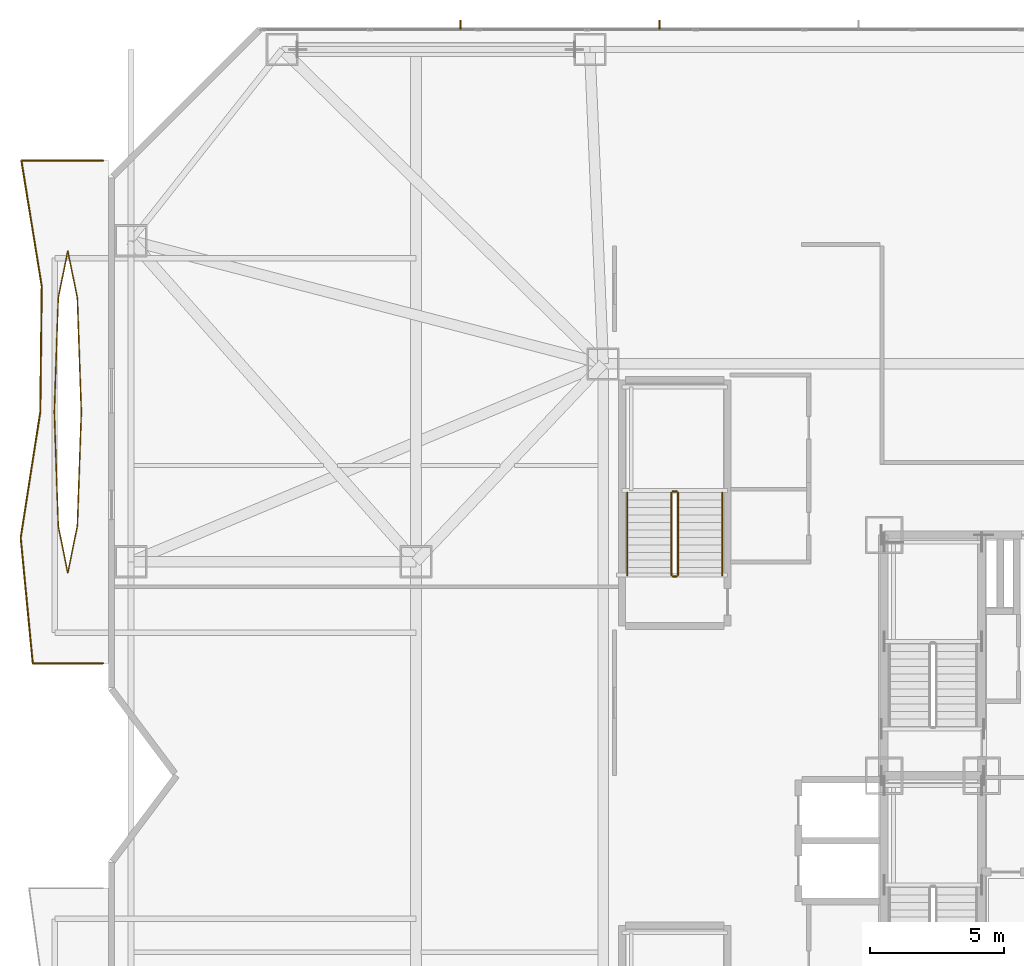
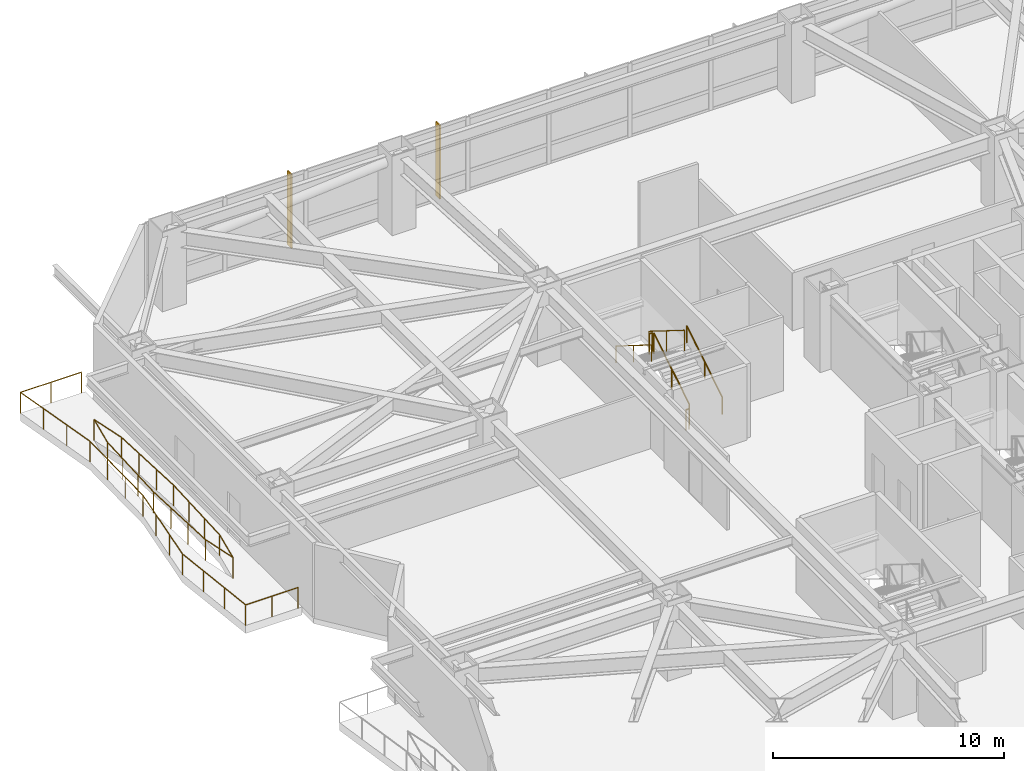
# One storey, part 22 of 24: 10 railings, 2 shading devices.
"""IFC4 building model written with IfcOpenShell, lengths in metres."""

import ifcopenshell
import ifcopenshell.guid

model = None  # the IFC model being written
_history = None  # IfcOwnerHistory: only IFC2X3 demands one
_inside = {}  # id of a spatial element -> (the spatial element, [elements in it])
_under = {}  # id of a project, library or spatial element -> (it, [spatial elements below it])
_declared = {}  # id of a project -> (the project, [libraries it declares])
_typed = {}  # id of a type object -> (the type object, [elements of that type])
_made_of = {}  # id of a material, layer set ... -> (it, [elements and type objects made of it])


def new_model(schema):
    """Start an empty IFC model of exactly this schema.

    Asked for "IFC4X3", IfcOpenShell would pick the latest addendum, in which some entities
    have other attributes; the version numbers below select the first issue.
    IFC2X3 requires an IfcOwnerHistory on every rooted entity: one is made here for all.
    """
    global model, _history
    if schema == "IFC4X3":
        model = ifcopenshell.file(schema_version=(4, 3, 0, 0))
    else:
        model = ifcopenshell.file(schema=schema)
    _inside.clear()
    _under.clear()
    _declared.clear()
    _typed.clear()
    _made_of.clear()
    _history = None
    if model.schema == "IFC2X3":
        org = make("IfcOrganization", Name="unknown")
        user = make(
            "IfcPersonAndOrganization",
            ThePerson=make("IfcPerson", FamilyName="unknown"),
            TheOrganization=org,
        )
        app = make(
            "IfcApplication",
            ApplicationDeveloper=org,
            Version="unknown",
            ApplicationFullName="unknown",
            ApplicationIdentifier="unknown",
        )
        _history = make(
            "IfcOwnerHistory",
            OwningUser=user,
            OwningApplication=app,
            ChangeAction="ADDED",
            CreationDate=0,
        )
    return model


def make(cls, **values):
    """One entity of the class cls with the attributes given. An attribute that is None is left unset."""
    return model.create_entity(
        cls, **{name: value for name, value in values.items() if value is not None}
    )


def rooted(cls, **values):
    """An entity with a GlobalId (a new one), such as an element, a storey or a relation."""
    return make(cls, GlobalId=ifcopenshell.guid.new(), OwnerHistory=_history, **values)


def si_unit(unit_type, name, prefix=None):
    """IfcSIUnit, for example si_unit("LENGTHUNIT", "METRE", prefix="MILLI")."""
    return make("IfcSIUnit", UnitType=unit_type, Prefix=prefix, Name=name)


def assignment(units):
    """IfcUnitAssignment: the units of a project."""
    return None if units is None else make("IfcUnitAssignment", Units=units)


def point(xyz):
    """IfcCartesianPoint."""
    return None if xyz is None else make("IfcCartesianPoint", Coordinates=xyz)


def direction(xyz):
    """IfcDirection."""
    return None if xyz is None else make("IfcDirection", DirectionRatios=xyz)


def frame(location, z_axis=None, x_axis=None):
    """IfcAxis2Placement3D, a coordinate frame: its origin and axes. An axis left out is left unset."""
    return make(
        "IfcAxis2Placement3D",
        Location=point(location),
        Axis=direction(z_axis),
        RefDirection=direction(x_axis),
    )


def frame_2d(location, x_axis=None):
    """IfcAxis2Placement2D, a coordinate frame in the plane: its origin and x axis."""
    return make(
        "IfcAxis2Placement2D", Location=point(location), RefDirection=direction(x_axis)
    )


def origin():
    """The frame at (0, 0, 0) with its axes left unset."""
    return frame((0.0, 0.0, 0.0))


def origin_2d():
    """The frame at (0, 0) in the plane with its x axis left unset."""
    return frame_2d((0.0, 0.0))


def place(relative_to, where):
    """IfcLocalPlacement: puts the frame where relative to a parent placement (None: the world)."""
    return make(
        "IfcLocalPlacement", PlacementRelTo=relative_to, RelativePlacement=where
    )


def context(
    kind, dimensions, precision=None, world=None, true_north=None, identifier=None
):
    """IfcGeometricRepresentationContext, for example the 3D "Model" context."""
    return make(
        "IfcGeometricRepresentationContext",
        ContextIdentifier=identifier,
        ContextType=kind,
        CoordinateSpaceDimension=dimensions,
        Precision=precision,
        WorldCoordinateSystem=world,
        TrueNorth=true_north,
    )


def subcontext(parent, identifier, kind, view, scale=None):
    """IfcGeometricRepresentationSubContext, for example "Body" below "Model"."""
    return make(
        "IfcGeometricRepresentationSubContext",
        ContextIdentifier=identifier,
        ContextType=kind,
        ParentContext=parent,
        TargetScale=scale,
        TargetView=view,
    )


def project(units=None, contexts=None):
    """IfcProject with its units and contexts."""
    return rooted(
        "IfcProject",
        Name="project",
        RepresentationContexts=contexts,
        UnitsInContext=assignment(units),
    )


def spatial(cls, under=None, at=None, **own):
    """A site, building, storey or space (cls), placed at a placement, below another one or the project."""
    s = rooted(cls, ObjectPlacement=at, **own)
    if under is not None:
        _under.setdefault(under.id(), (under, []))[1].append(s)
    return s


def profile(cls, at=None, kind="AREA", **sizes):
    """A parametric profile (cls). Its sizes go by their IFC names, for example OverallWidth=200.0."""
    return make(cls, ProfileType=kind, Position=at, **sizes)


def rectangle(**sizes):
    """IfcRectangleProfileDef."""
    return profile("IfcRectangleProfileDef", **sizes)


def circle(**sizes):
    """IfcCircleProfileDef."""
    return profile("IfcCircleProfileDef", **sizes)


def extrude(swept, where, along, depth):
    """IfcExtrudedAreaSolid: the profile swept, set in the frame where, extruded along a direction by depth."""
    return make(
        "IfcExtrudedAreaSolid",
        SweptArea=swept,
        Position=where,
        ExtrudedDirection=direction(along),
        Depth=depth,
    )


def shape(context_of_items, identifier, shape_type, items):
    """IfcShapeRepresentation: the items that make up one representation, for example the "Body"."""
    return make(
        "IfcShapeRepresentation",
        ContextOfItems=context_of_items,
        RepresentationIdentifier=identifier,
        RepresentationType=shape_type,
        Items=items,
    )


def material(Name=None, Category=None):
    """IfcMaterial."""
    return make("IfcMaterial", Name=Name, Category=Category)


def made_of(thing, what):
    """Note that an element or type object is made of a material, layer set ...; save() writes the relation."""
    if what is not None:
        _made_of.setdefault(what.id(), (what, []))[1].append(thing)
    return thing


def type_object(cls, material=None, **own):
    """A type object (cls), such as IfcWallType, which elements share."""
    return made_of(rooted(cls, **own), material)


def element(
    cls,
    number,
    at=None,
    inside=None,
    cuts=None,
    type_object=None,
    material=None,
    context=None,
    identifier="Body",
    shape_type=None,
    held_by="IfcProductDefinitionShape",
    body=None,
    shapes=None,
    **own,
):
    """One element of the class cls, such as IfcWall. Its Tag is "e" and its number.

    at: its placement. inside: the storey or other place that contains it. cuts: it is an
    opening in that element (IfcRelVoidsElement). A single representation is given by context,
    identifier, shape_type and body (its items); several are given by shapes. held_by: the class
    of the entity that holds the representations. save() writes the other relations.
    """
    e = rooted(cls, Tag="e%d" % number, ObjectPlacement=at, **own)
    if body is not None:
        shapes = [shape(context, identifier, shape_type, body)]
    if shapes is not None:
        e.Representation = make(held_by, Representations=shapes)
    if inside is not None:
        _inside.setdefault(inside.id(), (inside, []))[1].append(e)
    if cuts is not None:
        rooted(
            "IfcRelVoidsElement", RelatingBuildingElement=cuts, RelatedOpeningElement=e
        )
    if type_object is not None:
        _typed.setdefault(type_object.id(), (type_object, []))[1].append(e)
    return made_of(e, material)


def aggregate(whole, parts):
    """IfcRelAggregates: a whole, such as a stair, and the parts it consists of."""
    return rooted("IfcRelAggregates", RelatingObject=whole, RelatedObjects=parts)


def save(model, path):
    """Write the relations noted so far, then the file.

    IfcRelAggregates (storeys below a building ...), IfcRelContainedInSpatialStructure (elements
    in a storey), IfcRelDefinesByType, IfcRelAssociatesMaterial and IfcRelDeclares: one each for
    every whole, place, type object, material and project.
    """
    for whole, parts in _under.values():
        aggregate(whole, parts)
    for where, things in _inside.values():
        rooted(
            "IfcRelContainedInSpatialStructure",
            RelatedElements=things,
            RelatingStructure=where,
        )
    for kind, things in _typed.values():
        rooted("IfcRelDefinesByType", RelatedObjects=things, RelatingType=kind)
    for what, things in _made_of.values():
        rooted("IfcRelAssociatesMaterial", RelatedObjects=things, RelatingMaterial=what)
    for by, libraries in _declared.values():
        rooted("IfcRelDeclares", RelatingContext=by, RelatedDefinitions=libraries)
    model.write(path)


model = new_model("IFC4")

# Units and contexts
model_context = context("Model", 3, precision=1e-05, world=origin(), true_north=direction((0.0, 1.0)))
body_context = subcontext(model_context, "Body", "Model", "MODEL_VIEW")
ifc_project = project(units=[si_unit("LENGTHUNIT", "METRE"), si_unit("AREAUNIT", "SQUARE_METRE"), si_unit("VOLUMEUNIT", "CUBIC_METRE"), si_unit("PLANEANGLEUNIT", "RADIAN"), si_unit("MASSUNIT", "GRAM", prefix="KILO")], contexts=[model_context])

# Site, building, storey
site_placement = place(None, origin())
site = spatial("IfcSite", under=ifc_project, at=site_placement, CompositionType="ELEMENT")
building_placement = place(site_placement, origin())
building = spatial("IfcBuilding", under=site, at=building_placement, Name="Khamvora Tower", CompositionType="ELEMENT")
storey_placement = place(building_placement, frame((0.0, 0.0, 20.39990234375)))
storey = spatial("IfcBuildingStorey", under=building, at=storey_placement, Name="L04", CompositionType="ELEMENT", Elevation=20.39990234375)

# Railings
ifc_material_1 = material(Name="Stainless Steel 316 and Laminated Glass", Category="steel")
railing_type_1 = type_object("IfcRailingType", Name="RAL-GAL-1120", PredefinedType="GUARDRAIL", material=ifc_material_1)
railing_1_placement = place(storey_placement, frame((-0.199951171875, 32.199951171875, 0.0)))
element("IfcRailing", 1, at=railing_1_placement, inside=storey, type_object=railing_type_1, Name="L04 lens gallery south perimeter guardrail WL2", PredefinedType="GUARDRAIL", context=body_context, shape_type="SweptSolid", body=[
    extrude(circle(Radius=0.02392578125, at=origin_2d()), frame((0.0, 0.0, 1.09619140625), z_axis=(-1.0, 0.0, 0.0), x_axis=(0.0, -1.0, 0.0)), (0.0, 0.0, 1.0), 2.626953125),
    extrude(circle(Radius=0.02392578125, at=origin_2d()), frame((-2.626953125, 0.0, 1.09619140625), z_axis=(-0.095555747746, 0.995424080014, 0.0), x_axis=(-0.995424080014, -0.095555747746, 0.0)), (0.0, 0.0, 1.0), 4.721435546875),
    extrude(circle(Radius=0.02392578125, at=origin_2d()), frame((-3.078125, 4.699951171875, 1.09619140625), z_axis=(0.153919696536, 0.988083360359, 0.0), x_axis=(-0.988083360359, 0.153919696536, 0.0)), (0.0, 0.0, 1.0), 4.7568359375),
    extrude(circle(Radius=0.02099609375, at=origin_2d()), origin(), (0.0, 0.0, 1.0), 1.072021484375),
    extrude(circle(Radius=0.02099609375, at=origin_2d()), frame((-1.3134765625, 0.0, 0.0)), (0.0, 0.0, 1.0), 1.072021484375),
    extrude(circle(Radius=0.02099609375, at=origin_2d()), frame((-2.626953125, 0.0, 0.0)), (0.0, 0.0, 1.0), 1.072021484375),
    extrude(circle(Radius=0.02099609375, at=origin_2d()), frame((-2.77734375, 1.566650390625, 0.0)), (0.0, 0.0, 1.0), 1.072021484375),
    extrude(circle(Radius=0.02099609375, at=origin_2d()), frame((-2.927734375, 3.13330078125, 0.0)), (0.0, 0.0, 1.0), 1.072021484375),
    extrude(circle(Radius=0.02099609375, at=origin_2d()), frame((-3.078125, 4.699951171875, 0.0)), (0.0, 0.0, 1.0), 1.072021484375),
    extrude(circle(Radius=0.02099609375, at=origin_2d()), frame((-2.833984375, 6.2666015625, 0.0)), (0.0, 0.0, 1.0), 1.072021484375),
    extrude(circle(Radius=0.02099609375, at=origin_2d()), frame((-2.590087890625, 7.83349609375, 0.0)), (0.0, 0.0, 1.0), 1.072021484375),
    extrude(circle(Radius=0.02099609375, at=origin_2d()), frame((-2.345947265625, 9.400146484375, 0.0)), (0.0, 0.0, 1.0), 1.072021484375),
])
railing_2_placement = place(storey_placement, frame((-2.5458984375, 41.60009765625, 0.0)))
element("IfcRailing", 2, at=railing_2_placement, inside=storey, type_object=railing_type_1, Name="L04 lens gallery north perimeter guardrail WL2", PredefinedType="GUARDRAIL", context=body_context, shape_type="SweptSolid", body=[
    extrude(circle(Radius=0.02392578125, at=origin_2d()), frame((0.0, 0.0, 1.09619140625), z_axis=(0.011479166734, 0.999934112195, 0.0), x_axis=(-0.999934112195, 0.011479166734, 0.0)), (0.0, 0.0, 1.0), 4.7001953125),
    extrude(circle(Radius=0.02392578125, at=origin_2d()), frame((0.053955078125, 4.699951171875, 1.09619140625), z_axis=(-0.159832138412, 0.987144208072, 0.0), x_axis=(-0.987144208072, -0.159832138412, 0.0)), (0.0, 0.0, 1.0), 4.76123046875),
    extrude(circle(Radius=0.02392578125, at=origin_2d()), frame((-0.70703125, 9.39990234375, 1.09619140625), z_axis=(1.0, 0.0, 0.0), x_axis=(0.0, 1.0, 0.0)), (0.0, 0.0, 1.0), 3.052978515625),
    extrude(circle(Radius=0.02099609375, at=origin_2d()), origin(), (0.0, 0.0, 1.0), 1.072021484375),
    extrude(circle(Radius=0.02099609375, at=origin_2d()), frame((0.01806640625, 1.566650390625, 0.0)), (0.0, 0.0, 1.0), 1.072021484375),
    extrude(circle(Radius=0.02099609375, at=origin_2d()), frame((0.035888671875, 3.13330078125, 0.0)), (0.0, 0.0, 1.0), 1.072021484375),
    extrude(circle(Radius=0.02099609375, at=origin_2d()), frame((0.053955078125, 4.699951171875, 0.0)), (0.0, 0.0, 1.0), 1.072021484375),
    extrude(circle(Radius=0.02099609375, at=origin_2d()), frame((-0.19970703125, 6.2666015625, 0.0)), (0.0, 0.0, 1.0), 1.072021484375),
    extrude(circle(Radius=0.02099609375, at=origin_2d()), frame((-0.453369140625, 7.833251953125, 0.0)), (0.0, 0.0, 1.0), 1.072021484375),
    extrude(circle(Radius=0.02099609375, at=origin_2d()), frame((-0.70703125, 9.39990234375, 0.0)), (0.0, 0.0, 1.0), 1.072021484375),
    extrude(circle(Radius=0.02099609375, at=origin_2d()), frame((0.8193359375, 9.39990234375, 0.0)), (0.0, 0.0, 1.0), 1.072021484375),
    extrude(circle(Radius=0.02099609375, at=origin_2d()), frame((2.345947265625, 9.39990234375, 0.0)), (0.0, 0.0, 1.0), 1.072021484375),
])
railing_3_placement = place(storey_placement, frame((-1.010986328125, 41.60009765625, 0.0)))
element("IfcRailing", 3, at=railing_3_placement, inside=storey, type_object=railing_type_1, Name="L04 lens gallery void guardrail WL2A", PredefinedType="GUARDRAIL", context=body_context, shape_type="SweptSolid", body=[
    extrude(circle(Radius=0.02392578125, at=origin_2d()), frame((0.0, 0.0, 1.09619140625), z_axis=(-0.034758598303, 0.999395737355, 0.0), x_axis=(-0.999395737355, -0.034758598303, 0.0)), (0.0, 0.0, 1.0), 4.256591796875),
    extrude(circle(Radius=0.02392578125, at=origin_2d()), frame((-0.14794921875, 4.25390625, 1.09619140625), z_axis=(-0.198022438185, 0.980197487232, 0.0), x_axis=(-0.980197487232, -0.198022438185, 0.0)), (0.0, 0.0, 1.0), 1.797607421875),
    extrude(circle(Radius=0.02392578125, at=origin_2d()), frame((-0.50390625, 6.015869140625, 1.09619140625), z_axis=(-0.198152924969, -0.98017111686, 0.0), x_axis=(0.98017111686, -0.198152924969, 0.0)), (0.0, 0.0, 1.0), 1.797607421875),
    extrude(circle(Radius=0.02392578125, at=origin_2d()), frame((-0.860107421875, 4.25390625, 1.09619140625), z_axis=(-0.034758598303, -0.999395737355, 0.0), x_axis=(0.999395737355, -0.034758598303, 0.0)), (0.0, 0.0, 1.0), 4.256591796875),
    extrude(circle(Radius=0.02099609375, at=origin_2d()), origin(), (0.0, 0.0, 1.0), 1.072021484375),
    extrude(circle(Radius=0.02099609375, at=origin_2d()), frame((-0.04931640625, 1.41796875, 0.0)), (0.0, 0.0, 1.0), 1.072021484375),
    extrude(circle(Radius=0.02099609375, at=origin_2d()), frame((-0.0986328125, 2.8359375, 0.0)), (0.0, 0.0, 1.0), 1.072021484375),
    extrude(circle(Radius=0.02099609375, at=origin_2d()), frame((-0.14794921875, 4.25390625, 0.0)), (0.0, 0.0, 1.0), 1.072021484375),
    extrude(circle(Radius=0.02099609375, at=origin_2d()), frame((-0.50390625, 6.015869140625, 0.0)), (0.0, 0.0, 1.0), 1.072021484375),
    extrude(circle(Radius=0.02099609375, at=origin_2d()), frame((-0.860107421875, 4.25390625, 0.0)), (0.0, 0.0, 1.0), 1.072021484375),
    extrude(circle(Radius=0.02099609375, at=origin_2d()), frame((-0.909423828125, 2.8359375, 0.0)), (0.0, 0.0, 1.0), 1.072021484375),
    extrude(circle(Radius=0.02099609375, at=origin_2d()), frame((-0.958740234375, 1.41796875, 0.0)), (0.0, 0.0, 1.0), 1.072021484375),
    extrude(circle(Radius=0.02099609375, at=origin_2d()), frame((-1.008056640625, 0.0, 0.0)), (0.0, 0.0, 1.0), 1.072021484375),
])
railing_4_placement = place(storey_placement, frame((-2.01904296875, 41.60009765625, 0.0)))
element("IfcRailing", 4, at=railing_4_placement, inside=storey, type_object=railing_type_1, Name="L04 lens gallery void guardrail WL2B", PredefinedType="GUARDRAIL", context=body_context, shape_type="SweptSolid", body=[
    extrude(circle(Radius=0.02392578125, at=origin_2d()), frame((0.0, 0.0, 1.09619140625), z_axis=(0.034756605959, -0.999395806646, 0.0), x_axis=(0.999395806646, 0.034756605959, 0.0)), (0.0, 0.0, 1.0), 4.2568359375),
    extrude(circle(Radius=0.02392578125, at=origin_2d()), frame((0.14794921875, -4.254150390625, 1.09619140625), z_axis=(0.198152924969, -0.98017111686, 0.0), x_axis=(0.98017111686, 0.198152924969, 0.0)), (0.0, 0.0, 1.0), 1.797607421875),
    extrude(circle(Radius=0.02392578125, at=origin_2d()), frame((0.504150390625, -6.01611328125, 1.09619140625), z_axis=(0.198022438185, 0.980197487232, 0.0), x_axis=(-0.980197487232, 0.198022438185, 0.0)), (0.0, 0.0, 1.0), 1.797607421875),
    extrude(circle(Radius=0.02392578125, at=origin_2d()), frame((0.860107421875, -4.254150390625, 1.09619140625), z_axis=(0.034756605959, 0.999395806646, 0.0), x_axis=(-0.999395806646, 0.034756605959, 0.0)), (0.0, 0.0, 1.0), 4.2568359375),
    extrude(circle(Radius=0.02099609375, at=origin_2d()), origin(), (0.0, 0.0, 1.0), 1.072021484375),
    extrude(circle(Radius=0.02099609375, at=origin_2d()), frame((0.04931640625, -1.41796875, 0.0)), (0.0, 0.0, 1.0), 1.072021484375),
    extrude(circle(Radius=0.02099609375, at=origin_2d()), frame((0.0986328125, -2.836181640625, 0.0)), (0.0, 0.0, 1.0), 1.072021484375),
    extrude(circle(Radius=0.02099609375, at=origin_2d()), frame((0.14794921875, -4.254150390625, 0.0)), (0.0, 0.0, 1.0), 1.072021484375),
    extrude(circle(Radius=0.02099609375, at=origin_2d()), frame((0.504150390625, -6.01611328125, 0.0)), (0.0, 0.0, 1.0), 1.072021484375),
    extrude(circle(Radius=0.02099609375, at=origin_2d()), frame((0.860107421875, -4.254150390625, 0.0)), (0.0, 0.0, 1.0), 1.072021484375),
    extrude(circle(Radius=0.02099609375, at=origin_2d()), frame((0.909423828125, -2.836181640625, 0.0)), (0.0, 0.0, 1.0), 1.072021484375),
    extrude(circle(Radius=0.02099609375, at=origin_2d()), frame((0.958740234375, -1.41796875, 0.0)), (0.0, 0.0, 1.0), 1.072021484375),
    extrude(circle(Radius=0.02099609375, at=origin_2d()), frame((1.008056640625, 0.0, 0.0)), (0.0, 0.0, 1.0), 1.072021484375),
])
ifc_material_2 = material(Name="Brushed Stainless Steel 316", Category="steel")
railing_type_2 = type_object("IfcRailingType", Name="RAL-HDR-920", PredefinedType="HANDRAIL", material=ifc_material_2)
railing_5_placement = place(storey_placement, frame((22.949951171875, 35.5, 0.175048828125)))
element("IfcRailing", 5, at=railing_5_placement, inside=storey, type_object=railing_type_2, Name="L04 ST-04 stair handrail 1", PredefinedType="HANDRAIL", context=body_context, shape_type="SweptSolid", body=[
    extrude(circle(Radius=0.02392578125, at=origin_2d()), frame((0.0, 0.0, 0.8759765625), z_axis=(0.0, 0.847998304005, 0.529998940003), x_axis=(-1.0, 0.0, 0.0)), (0.0, 0.0, 1.0), 3.632080078125),
    extrude(circle(Radius=0.02099609375, at=origin_2d()), origin(), (0.0, 0.0, 1.0), 0.851806640625),
    extrude(circle(Radius=0.02099609375, at=origin_2d()), frame((0.0, 1.5400390625, 0.96240234375)), (0.0, 0.0, 1.0), 0.851806640625),
    extrude(circle(Radius=0.02099609375, at=origin_2d()), frame((0.0, 3.080078125, 1.925048828125)), (0.0, 0.0, 1.0), 0.851806640625),
])
railing_6_placement = place(storey_placement, frame((19.39990234375, 38.580078125, 2.275146484375)))
element("IfcRailing", 6, at=railing_6_placement, inside=storey, type_object=railing_type_2, Name="L04 ST-04 stair handrail 2", PredefinedType="HANDRAIL", context=body_context, shape_type="SweptSolid", body=[
    extrude(circle(Radius=0.02392578125, at=origin_2d()), frame((0.0, 0.0, 0.8759765625), z_axis=(0.0, -0.847998304005, 0.529998940003), x_axis=(1.0, 0.0, 0.0)), (0.0, 0.0, 1.0), 3.632080078125),
    extrude(circle(Radius=0.02099609375, at=origin_2d()), origin(), (0.0, 0.0, 1.0), 0.851806640625),
    extrude(circle(Radius=0.02099609375, at=origin_2d()), frame((0.0, -1.5400390625, 0.96240234375)), (0.0, 0.0, 1.0), 0.851806640625),
    extrude(circle(Radius=0.02099609375, at=origin_2d()), frame((0.0, -3.080078125, 1.925048828125)), (0.0, 0.0, 1.0), 0.851806640625),
])
ifc_material_3 = material(Name="Stainless Steel 316", Category="steel")
railing_type_3 = type_object("IfcRailingType", Name="RAL-STG-1100", PredefinedType="GUARDRAIL", material=ifc_material_3)
railing_7_placement = place(storey_placement, frame((21.300048828125, 35.5, 0.175048828125)))
element("IfcRailing", 7, at=railing_7_placement, inside=storey, type_object=railing_type_3, Name="L04 ST-04 stair guard 1", PredefinedType="GUARDRAIL", context=body_context, shape_type="SweptSolid", body=[
    extrude(circle(Radius=0.02392578125, at=origin_2d()), frame((0.0, 0.0, 1.076171875), z_axis=(0.0, 0.847998304005, 0.529998940003), x_axis=(-1.0, 0.0, 0.0)), (0.0, 0.0, 1.0), 3.632080078125),
    extrude(circle(Radius=0.02099609375, at=origin_2d()), origin(), (0.0, 0.0, 1.0), 1.052001953125),
    extrude(circle(Radius=0.02099609375, at=origin_2d()), frame((0.0, 1.5400390625, 0.96240234375)), (0.0, 0.0, 1.0), 1.052001953125),
    extrude(circle(Radius=0.02099609375, at=origin_2d()), frame((0.0, 3.080078125, 1.925048828125)), (0.0, 0.0, 1.0), 1.052001953125),
])
railing_8_placement = place(storey_placement, frame((21.25, 38.6298828125, 2.10009765625)))
element("IfcRailing", 8, at=railing_8_placement, inside=storey, type_object=railing_type_3, Name="L04 ST-04 stair guard 2", PredefinedType="GUARDRAIL", context=body_context, shape_type="SweptSolid", body=[
    extrude(circle(Radius=0.02392578125, at=origin_2d()), frame((0.0, 0.0, 1.076171875), z_axis=(-1.0, 0.0, 0.0), x_axis=(0.0, -1.0, 0.0)), (0.0, 0.0, 1.0), 0.14990234375),
    extrude(circle(Radius=0.02099609375, at=origin_2d()), origin(), (0.0, 0.0, 1.0), 1.052001953125),
    extrude(circle(Radius=0.02099609375, at=origin_2d()), frame((-0.14990234375, 0.0, 0.0)), (0.0, 0.0, 1.0), 1.052001953125),
])
railing_9_placement = place(storey_placement, frame((21.050048828125, 38.580078125, 2.275146484375)))
element("IfcRailing", 9, at=railing_9_placement, inside=storey, type_object=railing_type_3, Name="L04 ST-04 stair guard 3", PredefinedType="GUARDRAIL", context=body_context, shape_type="SweptSolid", body=[
    extrude(circle(Radius=0.02392578125, at=origin_2d()), frame((0.0, 0.0, 1.076171875), z_axis=(0.0, -0.847998304005, 0.529998940003), x_axis=(1.0, 0.0, 0.0)), (0.0, 0.0, 1.0), 3.632080078125),
    extrude(circle(Radius=0.02099609375, at=origin_2d()), origin(), (0.0, 0.0, 1.0), 1.052001953125),
    extrude(circle(Radius=0.02099609375, at=origin_2d()), frame((0.0, -1.5400390625, 0.96240234375)), (0.0, 0.0, 1.0), 1.052001953125),
    extrude(circle(Radius=0.02099609375, at=origin_2d()), frame((0.0, -3.080078125, 1.925048828125)), (0.0, 0.0, 1.0), 1.052001953125),
])
railing_10_placement = place(storey_placement, frame((21.25, 35.449951171875, 0.0)))
element("IfcRailing", 10, at=railing_10_placement, inside=storey, type_object=railing_type_3, Name="L04 ST-04 stair guard 4", PredefinedType="GUARDRAIL", context=body_context, shape_type="SweptSolid", body=[
    extrude(circle(Radius=0.02392578125, at=origin_2d()), frame((0.0, 0.0, 1.076171875), z_axis=(-1.0, 0.0, 0.0), x_axis=(0.0, -1.0, 0.0)), (0.0, 0.0, 1.0), 0.14990234375),
    extrude(circle(Radius=0.02099609375, at=origin_2d()), origin(), (0.0, 0.0, 1.0), 1.052001953125),
    extrude(circle(Radius=0.02099609375, at=origin_2d()), frame((-0.14990234375, 0.0, 0.0)), (0.0, 0.0, 1.0), 1.052001953125),
])

# Shading devices
ifc_material_4 = material(Name="Anodised Bronze Aluminium 6063-T6", Category="aluminium")
shading_device_type = type_object("IfcShadingDeviceType", Name="SHD-FIN-350", PredefinedType="USERDEFINED", material=ifc_material_4)
for number, where, z_axis, x_axis, name in (
    (11, (13.1640625, 56.077880859375, 0.000244140625), (0.0, 0.0, 1.0), (1.0, 0.0, 0.0), "L04 anodised bronze solar fin 07.01"),
    (12, (20.60107421875, 56.077880859375, 0.000244140625), (0.0, 0.0, 1.0), (1.0, 0.0, 0.0), "L04 anodised bronze solar fin 07.02"),
):
    element("IfcShadingDevice", number, at=place(storey_placement, frame(where, z_axis=z_axis, x_axis=x_axis)), inside=storey, type_object=shading_device_type, Name=name, ObjectType="FIN", PredefinedType="USERDEFINED", context=body_context, shape_type="SweptSolid", body=[
        extrude(rectangle(XDim=0.054931640625, YDim=0.35009765625, at=origin_2d()), origin(), (0.0, 0.0, 1.0), 3.919921875),
    ])

save(model, "model.ifc")
